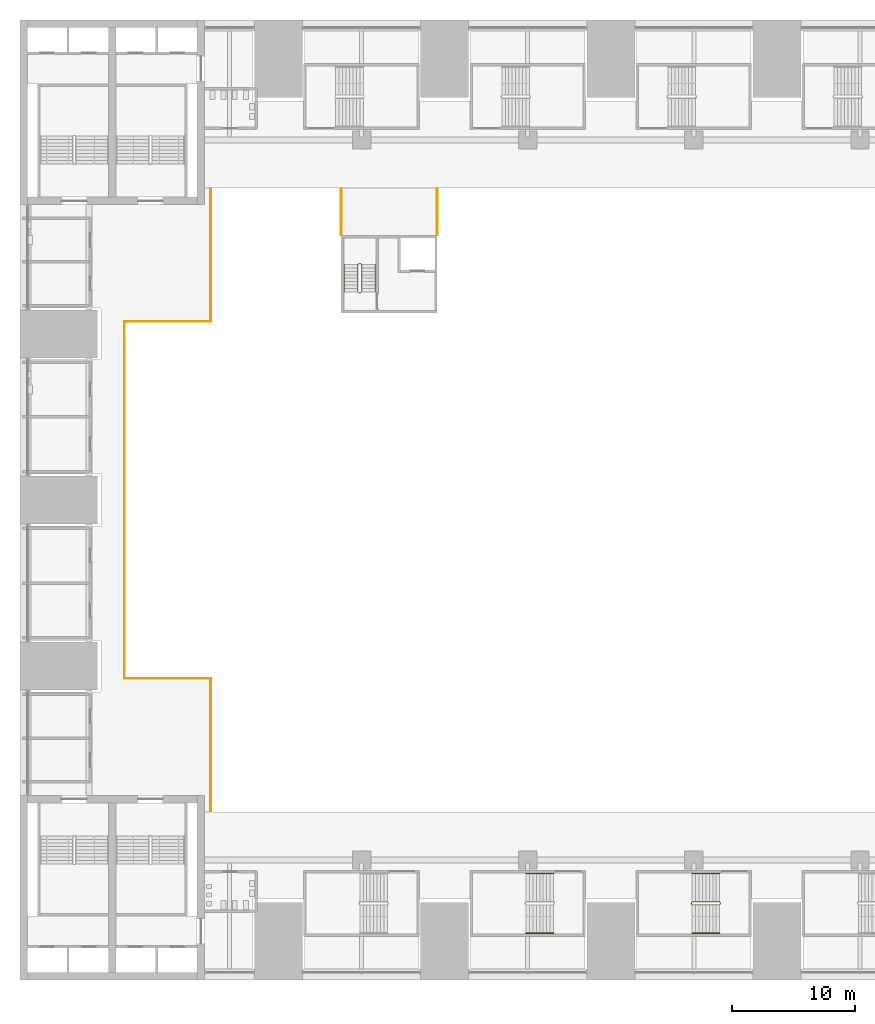
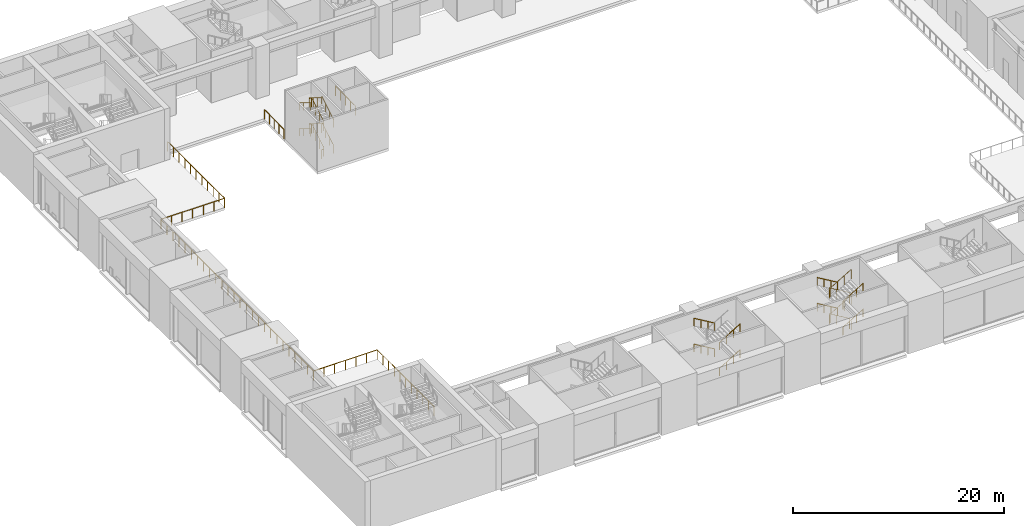
# One storey, part 36 of 41: 7 railings.
"""IFC4 building model written with IfcOpenShell, lengths in metres."""

from ifc_helpers import new_model, si_unit, direction, frame, origin, origin_2d, place, context, subcontext, project, spatial, circle, extrude, material, type_object, element, save


model = new_model("IFC4")

# Units and contexts
model_context = context("Model", 3, precision=1e-05, world=origin(), true_north=direction((0.0, 1.0)))
body_context = subcontext(model_context, "Body", "Model", "MODEL_VIEW")
ifc_project = project(units=[si_unit("LENGTHUNIT", "METRE"), si_unit("AREAUNIT", "SQUARE_METRE"), si_unit("VOLUMEUNIT", "CUBIC_METRE"), si_unit("PLANEANGLEUNIT", "RADIAN"), si_unit("MASSUNIT", "GRAM", prefix="KILO")], contexts=[model_context])

# Site, building, storey
site_placement = place(None, origin())
site = spatial("IfcSite", under=ifc_project, at=site_placement, CompositionType="ELEMENT")
building_placement = place(site_placement, origin())
building = spatial("IfcBuilding", under=site, at=building_placement, Name="Corbelhall Arena Tower", CompositionType="ELEMENT")
storey_placement = place(building_placement, frame((0.0, 0.0, 19.0)))
storey = spatial("IfcBuildingStorey", under=building, at=storey_placement, Name="L02", CompositionType="ELEMENT", Elevation=19.0)

# Railings
ifc_material_1 = material(Name="Stainless steel A4 and laminated glass", Category="steel")
railing_type_1 = type_object("IfcRailingType", Name="AR-GUARD-GLASS", PredefinedType="GUARDRAIL", material=ifc_material_1)
railing_1_placement = place(storey_placement, frame((-32.5, -25.300048828125, 0.0)))
element("IfcRailing", 1, at=railing_1_placement, inside=storey, type_object=railing_type_1, Name="Bowl void guard L02 1", PredefinedType="GUARDRAIL", context=body_context, shape_type="SweptSolid", body=[
    extrude(circle(Radius=0.02392578125, at=origin_2d()), frame((0.0, 0.0, 1.076171875), z_axis=(0.0, 1.0, 0.0), x_axis=(-1.0, 0.0, 0.0)), (0.0, 0.0, 1.0), 10.800048828125),
    extrude(circle(Radius=0.02392578125, at=origin_2d()), frame((0.0, 10.800048828125, 1.076171875), z_axis=(-1.0, 0.0, 0.0), x_axis=(0.0, -1.0, 0.0)), (0.0, 0.0, 1.0), 7.0),
    extrude(circle(Radius=0.02392578125, at=origin_2d()), frame((-7.0, 10.800048828125, 1.076171875), z_axis=(0.0, 1.0, 0.0), x_axis=(-1.0, 0.0, 0.0)), (0.0, 0.0, 1.0), 29.0),
    extrude(circle(Radius=0.02392578125, at=origin_2d()), frame((-7.0, 39.800048828125, 1.076171875), z_axis=(1.0, 0.0, 0.0), x_axis=(0.0, 1.0, 0.0)), (0.0, 0.0, 1.0), 7.0),
    extrude(circle(Radius=0.02392578125, at=origin_2d()), frame((0.0, 39.800048828125, 1.076171875), z_axis=(0.0, 1.0, 0.0), x_axis=(-1.0, 0.0, 0.0)), (0.0, 0.0, 1.0), 10.800048828125),
    extrude(circle(Radius=0.02099609375, at=origin_2d()), origin(), (0.0, 0.0, 1.0), 1.052001953125),
    extrude(circle(Radius=0.02099609375, at=origin_2d()), frame((0.0, 1.080078125, 0.0)), (0.0, 0.0, 1.0), 1.052001953125),
    extrude(circle(Radius=0.02099609375, at=origin_2d()), frame((0.0, 2.159912109375, 0.0)), (0.0, 0.0, 1.0), 1.052001953125),
    extrude(circle(Radius=0.02099609375, at=origin_2d()), frame((0.0, 3.239990234375, 0.0)), (0.0, 0.0, 1.0), 1.052001953125),
    extrude(circle(Radius=0.02099609375, at=origin_2d()), frame((0.0, 4.320068359375, 0.0)), (0.0, 0.0, 1.0), 1.052001953125),
    extrude(circle(Radius=0.02099609375, at=origin_2d()), frame((0.0, 5.39990234375, 0.0)), (0.0, 0.0, 1.0), 1.052001953125),
    extrude(circle(Radius=0.02099609375, at=origin_2d()), frame((0.0, 6.47998046875, 0.0)), (0.0, 0.0, 1.0), 1.052001953125),
    extrude(circle(Radius=0.02099609375, at=origin_2d()), frame((0.0, 7.56005859375, 0.0)), (0.0, 0.0, 1.0), 1.052001953125),
    extrude(circle(Radius=0.02099609375, at=origin_2d()), frame((0.0, 8.64013671875, 0.0)), (0.0, 0.0, 1.0), 1.052001953125),
    extrude(circle(Radius=0.02099609375, at=origin_2d()), frame((0.0, 9.719970703125, 0.0)), (0.0, 0.0, 1.0), 1.052001953125),
    extrude(circle(Radius=0.02099609375, at=origin_2d()), frame((0.0, 10.800048828125, 0.0)), (0.0, 0.0, 1.0), 1.052001953125),
    extrude(circle(Radius=0.02099609375, at=origin_2d()), frame((-1.166748046875, 10.800048828125, 0.0)), (0.0, 0.0, 1.0), 1.052001953125),
    extrude(circle(Radius=0.02099609375, at=origin_2d()), frame((-2.333251953125, 10.800048828125, 0.0)), (0.0, 0.0, 1.0), 1.052001953125),
    extrude(circle(Radius=0.02099609375, at=origin_2d()), frame((-3.5, 10.800048828125, 0.0)), (0.0, 0.0, 1.0), 1.052001953125),
    extrude(circle(Radius=0.02099609375, at=origin_2d()), frame((-4.666748046875, 10.800048828125, 0.0)), (0.0, 0.0, 1.0), 1.052001953125),
    extrude(circle(Radius=0.02099609375, at=origin_2d()), frame((-5.833251953125, 10.800048828125, 0.0)), (0.0, 0.0, 1.0), 1.052001953125),
    extrude(circle(Radius=0.02099609375, at=origin_2d()), frame((-7.0, 10.800048828125, 0.0)), (0.0, 0.0, 1.0), 1.052001953125),
    extrude(circle(Radius=0.02099609375, at=origin_2d()), frame((-7.0, 11.9599609375, 0.0)), (0.0, 0.0, 1.0), 1.052001953125),
    extrude(circle(Radius=0.02099609375, at=origin_2d()), frame((-7.0, 13.1201171875, 0.0)), (0.0, 0.0, 1.0), 1.052001953125),
    extrude(circle(Radius=0.02099609375, at=origin_2d()), frame((-7.0, 14.280029296875, 0.0)), (0.0, 0.0, 1.0), 1.052001953125),
    extrude(circle(Radius=0.02099609375, at=origin_2d()), frame((-7.0, 15.43994140625, 0.0)), (0.0, 0.0, 1.0), 1.052001953125),
    extrude(circle(Radius=0.02099609375, at=origin_2d()), frame((-7.0, 16.60009765625, 0.0)), (0.0, 0.0, 1.0), 1.052001953125),
    extrude(circle(Radius=0.02099609375, at=origin_2d()), frame((-7.0, 17.760009765625, 0.0)), (0.0, 0.0, 1.0), 1.052001953125),
    extrude(circle(Radius=0.02099609375, at=origin_2d()), frame((-7.0, 18.920166015625, 0.0)), (0.0, 0.0, 1.0), 1.052001953125),
    extrude(circle(Radius=0.02099609375, at=origin_2d()), frame((-7.0, 20.080078125, 0.0)), (0.0, 0.0, 1.0), 1.052001953125),
    extrude(circle(Radius=0.02099609375, at=origin_2d()), frame((-7.0, 21.239990234375, 0.0)), (0.0, 0.0, 1.0), 1.052001953125),
    extrude(circle(Radius=0.02099609375, at=origin_2d()), frame((-7.0, 22.400146484375, 0.0)), (0.0, 0.0, 1.0), 1.052001953125),
    extrude(circle(Radius=0.02099609375, at=origin_2d()), frame((-7.0, 23.56005859375, 0.0)), (0.0, 0.0, 1.0), 1.052001953125),
    extrude(circle(Radius=0.02099609375, at=origin_2d()), frame((-7.0, 24.719970703125, 0.0)), (0.0, 0.0, 1.0), 1.052001953125),
    extrude(circle(Radius=0.02099609375, at=origin_2d()), frame((-7.0, 25.880126953125, 0.0)), (0.0, 0.0, 1.0), 1.052001953125),
    extrude(circle(Radius=0.02099609375, at=origin_2d()), frame((-7.0, 27.0400390625, 0.0)), (0.0, 0.0, 1.0), 1.052001953125),
    extrude(circle(Radius=0.02099609375, at=origin_2d()), frame((-7.0, 28.199951171875, 0.0)), (0.0, 0.0, 1.0), 1.052001953125),
    extrude(circle(Radius=0.02099609375, at=origin_2d()), frame((-7.0, 29.360107421875, 0.0)), (0.0, 0.0, 1.0), 1.052001953125),
    extrude(circle(Radius=0.02099609375, at=origin_2d()), frame((-7.0, 30.52001953125, 0.0)), (0.0, 0.0, 1.0), 1.052001953125),
    extrude(circle(Radius=0.02099609375, at=origin_2d()), frame((-7.0, 31.679931640625, 0.0)), (0.0, 0.0, 1.0), 1.052001953125),
    extrude(circle(Radius=0.02099609375, at=origin_2d()), frame((-7.0, 32.840087890625, 0.0)), (0.0, 0.0, 1.0), 1.052001953125),
    extrude(circle(Radius=0.02099609375, at=origin_2d()), frame((-7.0, 34.0, 0.0)), (0.0, 0.0, 1.0), 1.052001953125),
    extrude(circle(Radius=0.02099609375, at=origin_2d()), frame((-7.0, 35.16015625, 0.0)), (0.0, 0.0, 1.0), 1.052001953125),
    extrude(circle(Radius=0.02099609375, at=origin_2d()), frame((-7.0, 36.320068359375, 0.0)), (0.0, 0.0, 1.0), 1.052001953125),
    extrude(circle(Radius=0.02099609375, at=origin_2d()), frame((-7.0, 37.47998046875, 0.0)), (0.0, 0.0, 1.0), 1.052001953125),
    extrude(circle(Radius=0.02099609375, at=origin_2d()), frame((-7.0, 38.64013671875, 0.0)), (0.0, 0.0, 1.0), 1.052001953125),
    extrude(circle(Radius=0.02099609375, at=origin_2d()), frame((-7.0, 39.800048828125, 0.0)), (0.0, 0.0, 1.0), 1.052001953125),
    extrude(circle(Radius=0.02099609375, at=origin_2d()), frame((-5.833251953125, 39.800048828125, 0.0)), (0.0, 0.0, 1.0), 1.052001953125),
    extrude(circle(Radius=0.02099609375, at=origin_2d()), frame((-4.666748046875, 39.800048828125, 0.0)), (0.0, 0.0, 1.0), 1.052001953125),
    extrude(circle(Radius=0.02099609375, at=origin_2d()), frame((-3.5, 39.800048828125, 0.0)), (0.0, 0.0, 1.0), 1.052001953125),
    extrude(circle(Radius=0.02099609375, at=origin_2d()), frame((-2.333251953125, 39.800048828125, 0.0)), (0.0, 0.0, 1.0), 1.052001953125),
    extrude(circle(Radius=0.02099609375, at=origin_2d()), frame((-1.166748046875, 39.800048828125, 0.0)), (0.0, 0.0, 1.0), 1.052001953125),
    extrude(circle(Radius=0.02099609375, at=origin_2d()), frame((0.0, 39.800048828125, 0.0)), (0.0, 0.0, 1.0), 1.052001953125),
    extrude(circle(Radius=0.02099609375, at=origin_2d()), frame((0.0, 40.880126953125, 0.0)), (0.0, 0.0, 1.0), 1.052001953125),
    extrude(circle(Radius=0.02099609375, at=origin_2d()), frame((0.0, 41.9599609375, 0.0)), (0.0, 0.0, 1.0), 1.052001953125),
    extrude(circle(Radius=0.02099609375, at=origin_2d()), frame((0.0, 43.0400390625, 0.0)), (0.0, 0.0, 1.0), 1.052001953125),
    extrude(circle(Radius=0.02099609375, at=origin_2d()), frame((0.0, 44.1201171875, 0.0)), (0.0, 0.0, 1.0), 1.052001953125),
    extrude(circle(Radius=0.02099609375, at=origin_2d()), frame((0.0, 45.2001953125, 0.0)), (0.0, 0.0, 1.0), 1.052001953125),
    extrude(circle(Radius=0.02099609375, at=origin_2d()), frame((0.0, 46.280029296875, 0.0)), (0.0, 0.0, 1.0), 1.052001953125),
    extrude(circle(Radius=0.02099609375, at=origin_2d()), frame((0.0, 47.360107421875, 0.0)), (0.0, 0.0, 1.0), 1.052001953125),
    extrude(circle(Radius=0.02099609375, at=origin_2d()), frame((0.0, 48.440185546875, 0.0)), (0.0, 0.0, 1.0), 1.052001953125),
    extrude(circle(Radius=0.02099609375, at=origin_2d()), frame((0.0, 49.52001953125, 0.0)), (0.0, 0.0, 1.0), 1.052001953125),
    extrude(circle(Radius=0.02099609375, at=origin_2d()), frame((0.0, 50.60009765625, 0.0)), (0.0, 0.0, 1.0), 1.052001953125),
])
railing_2_placement = place(storey_placement, frame((-21.89990234375, 25.300048828125, 0.0)))
element("IfcRailing", 2, at=railing_2_placement, inside=storey, type_object=railing_type_1, Name="Bowl void guard L02 2", PredefinedType="GUARDRAIL", context=body_context, shape_type="SweptSolid", body=[
    extrude(circle(Radius=0.02392578125, at=origin_2d()), frame((0.0, 0.0, 1.076171875), z_axis=(0.0, -1.0, 0.0), x_axis=(1.0, 0.0, 0.0)), (0.0, 0.0, 1.0), 3.75),
    extrude(circle(Radius=0.02099609375, at=origin_2d()), origin(), (0.0, 0.0, 1.0), 1.052001953125),
    extrude(circle(Radius=0.02099609375, at=origin_2d()), frame((0.0, -0.9375, 0.0)), (0.0, 0.0, 1.0), 1.052001953125),
    extrude(circle(Radius=0.02099609375, at=origin_2d()), frame((0.0, -1.875, 0.0)), (0.0, 0.0, 1.0), 1.052001953125),
    extrude(circle(Radius=0.02099609375, at=origin_2d()), frame((0.0, -2.8125, 0.0)), (0.0, 0.0, 1.0), 1.052001953125),
    extrude(circle(Radius=0.02099609375, at=origin_2d()), frame((0.0, -3.75, 0.0)), (0.0, 0.0, 1.0), 1.052001953125),
])
railing_3_placement = place(storey_placement, frame((-14.10009765625, 21.550048828125, 0.0)))
element("IfcRailing", 3, at=railing_3_placement, inside=storey, type_object=railing_type_1, Name="Bowl void guard L02 3", PredefinedType="GUARDRAIL", context=body_context, shape_type="SweptSolid", body=[
    extrude(circle(Radius=0.02392578125, at=origin_2d()), frame((0.0, 0.0, 1.076171875), z_axis=(0.0, 1.0, 0.0), x_axis=(-1.0, 0.0, 0.0)), (0.0, 0.0, 1.0), 3.75),
    extrude(circle(Radius=0.02099609375, at=origin_2d()), origin(), (0.0, 0.0, 1.0), 1.052001953125),
    extrude(circle(Radius=0.02099609375, at=origin_2d()), frame((0.0, 0.9375, 0.0)), (0.0, 0.0, 1.0), 1.052001953125),
    extrude(circle(Radius=0.02099609375, at=origin_2d()), frame((0.0, 1.875, 0.0)), (0.0, 0.0, 1.0), 1.052001953125),
    extrude(circle(Radius=0.02099609375, at=origin_2d()), frame((0.0, 2.8125, 0.0)), (0.0, 0.0, 1.0), 1.052001953125),
    extrude(circle(Radius=0.02099609375, at=origin_2d()), frame((0.0, 3.75, 0.0)), (0.0, 0.0, 1.0), 1.052001953125),
])
ifc_material_2 = material(Name="Stainless steel A4", Category="steel")
railing_type_2 = type_object("IfcRailingType", Name="AR-STAIR-GUARD", PredefinedType="GUARDRAIL", material=ifc_material_2)
railing_4_placement = place(storey_placement, frame((8.85009765625, -32.64990234375, 0.166748046875)))
element("IfcRailing", 4, at=railing_4_placement, inside=storey, type_object=railing_type_2, Name="L02 AS15 stair guards", PredefinedType="GUARDRAIL", context=body_context, shape_type="SweptSolid", body=[
    extrude(circle(Radius=0.02392578125, at=origin_2d()), frame((0.0, 0.0, 1.076171875), z_axis=(-0.859305625298, 0.0, 0.511462454469), x_axis=(0.0, -1.0, 0.0)), (0.0, 0.0, 1.0), 2.606689453125),
    extrude(circle(Radius=0.02392578125, at=origin_2d()), frame((-2.2900390625, -0.050048828125, 2.4091796875), z_axis=(0.0, -1.0, 0.0), x_axis=(1.0, 0.0, 0.0)), (0.0, 0.0, 1.0), 0.150146484375),
    extrude(circle(Radius=0.02392578125, at=origin_2d()), frame((-2.239990234375, -0.25, 2.576171875), z_axis=(0.859305625298, 0.0, 0.511462454469), x_axis=(0.0, 1.0, 0.0)), (0.0, 0.0, 1.0), 2.606689453125),
    extrude(circle(Radius=0.02392578125, at=origin_2d()), frame((0.0498046875, -0.050048828125, 3.9091796875), z_axis=(0.0, -1.0, 0.0), x_axis=(1.0, 0.0, 0.0)), (0.0, 0.0, 1.0), 0.150146484375),
    extrude(circle(Radius=0.02392578125, at=origin_2d()), frame((0.0, 0.0, 4.076171875), z_axis=(-0.859305625298, 0.0, 0.511462454469), x_axis=(0.0, -1.0, 0.0)), (0.0, 0.0, 1.0), 2.606689453125),
    extrude(circle(Radius=0.02392578125, at=origin_2d()), frame((-2.2900390625, -0.050048828125, 5.4091796875), z_axis=(0.0, -1.0, 0.0), x_axis=(1.0, 0.0, 0.0)), (0.0, 0.0, 1.0), 0.150146484375),
    extrude(circle(Radius=0.02392578125, at=origin_2d()), frame((-2.239990234375, -0.25, 5.576171875), z_axis=(0.859305625298, 0.0, 0.511462454469), x_axis=(0.0, 1.0, 0.0)), (0.0, 0.0, 1.0), 2.606689453125),
    extrude(circle(Radius=0.02392578125, at=origin_2d()), frame((0.0498046875, -0.050048828125, 0.9091796875), z_axis=(0.0, -1.0, 0.0), x_axis=(1.0, 0.0, 0.0)), (0.0, 0.0, 1.0), 0.150146484375),
    extrude(circle(Radius=0.02099609375, at=origin_2d()), origin(), (0.0, 0.0, 1.0), 1.052001953125),
    extrude(circle(Radius=0.02099609375, at=origin_2d()), frame((-0.74658203125, 0.0, 0.4443359375)), (0.0, 0.0, 1.0), 1.052001953125),
    extrude(circle(Radius=0.02099609375, at=origin_2d()), frame((-1.493408203125, 0.0, 0.888916015625)), (0.0, 0.0, 1.0), 1.052001953125),
    extrude(circle(Radius=0.02099609375, at=origin_2d()), frame((-2.239990234375, 0.0, 1.333251953125)), (0.0, 0.0, 1.0), 1.052001953125),
    extrude(circle(Radius=0.02099609375, at=origin_2d()), frame((-2.2900390625, -0.050048828125, 1.333251953125)), (0.0, 0.0, 1.0), 1.052001953125),
    extrude(circle(Radius=0.02099609375, at=origin_2d()), frame((-2.2900390625, -0.2001953125, 1.333251953125)), (0.0, 0.0, 1.0), 1.052001953125),
    extrude(circle(Radius=0.02099609375, at=origin_2d()), frame((-2.239990234375, -0.25, 1.5)), (0.0, 0.0, 1.0), 1.052001953125),
    extrude(circle(Radius=0.02099609375, at=origin_2d()), frame((-1.493408203125, -0.25, 1.9443359375)), (0.0, 0.0, 1.0), 1.052001953125),
    extrude(circle(Radius=0.02099609375, at=origin_2d()), frame((-0.74658203125, -0.25, 2.388916015625)), (0.0, 0.0, 1.0), 1.052001953125),
    extrude(circle(Radius=0.02099609375, at=origin_2d()), frame((0.0, -0.25, 2.833251953125)), (0.0, 0.0, 1.0), 1.052001953125),
    extrude(circle(Radius=0.02099609375, at=origin_2d()), frame((0.0498046875, -0.050048828125, 2.833251953125)), (0.0, 0.0, 1.0), 1.052001953125),
    extrude(circle(Radius=0.02099609375, at=origin_2d()), frame((0.0498046875, -0.2001953125, 2.833251953125)), (0.0, 0.0, 1.0), 1.052001953125),
    extrude(circle(Radius=0.02099609375, at=origin_2d()), frame((0.0, 0.0, 3.0)), (0.0, 0.0, 1.0), 1.052001953125),
    extrude(circle(Radius=0.02099609375, at=origin_2d()), frame((-0.74658203125, 0.0, 3.4443359375)), (0.0, 0.0, 1.0), 1.052001953125),
    extrude(circle(Radius=0.02099609375, at=origin_2d()), frame((-1.493408203125, 0.0, 3.888916015625)), (0.0, 0.0, 1.0), 1.052001953125),
    extrude(circle(Radius=0.02099609375, at=origin_2d()), frame((-2.239990234375, 0.0, 4.333251953125)), (0.0, 0.0, 1.0), 1.052001953125),
    extrude(circle(Radius=0.02099609375, at=origin_2d()), frame((-2.2900390625, -0.050048828125, 4.333251953125)), (0.0, 0.0, 1.0), 1.052001953125),
    extrude(circle(Radius=0.02099609375, at=origin_2d()), frame((-2.2900390625, -0.2001953125, 4.333251953125)), (0.0, 0.0, 1.0), 1.052001953125),
    extrude(circle(Radius=0.02099609375, at=origin_2d()), frame((-2.239990234375, -0.25, 4.5)), (0.0, 0.0, 1.0), 1.052001953125),
    extrude(circle(Radius=0.02099609375, at=origin_2d()), frame((-1.493408203125, -0.25, 4.9443359375)), (0.0, 0.0, 1.0), 1.052001953125),
    extrude(circle(Radius=0.02099609375, at=origin_2d()), frame((-0.74658203125, -0.25, 5.388916015625)), (0.0, 0.0, 1.0), 1.052001953125),
    extrude(circle(Radius=0.02099609375, at=origin_2d()), frame((0.0, -0.25, 5.833251953125)), (0.0, 0.0, 1.0), 1.052001953125),
    extrude(circle(Radius=0.02099609375, at=origin_2d()), frame((0.0498046875, -0.050048828125, -0.166748046875)), (0.0, 0.0, 1.0), 1.052001953125),
    extrude(circle(Radius=0.02099609375, at=origin_2d()), frame((0.0498046875, -0.2001953125, -0.166748046875)), (0.0, 0.0, 1.0), 1.052001953125),
])
railing_type_3 = type_object("IfcRailingType", Name="AR-STAIR-HANDRAIL", PredefinedType="HANDRAIL", material=ifc_material_2)
railing_5_placement = place(storey_placement, frame((-4.64990234375, -30.35009765625, 0.166748046875)))
element("IfcRailing", 5, at=railing_5_placement, inside=storey, type_object=railing_type_3, Name="L02 AS14 stair handrails", PredefinedType="HANDRAIL", context=body_context, shape_type="SweptSolid", body=[
    extrude(circle(Radius=0.02392578125, at=origin_2d()), frame((0.0, 0.0, 0.8759765625), z_axis=(-0.859305625298, 0.0, 0.511462454469), x_axis=(0.0, -1.0, 0.0)), (0.0, 0.0, 1.0), 2.606689453125),
    extrude(circle(Radius=0.02392578125, at=origin_2d()), frame((-2.239990234375, -4.849853515625, 2.3759765625), z_axis=(0.859305625298, 0.0, 0.511462454469), x_axis=(0.0, 1.0, 0.0)), (0.0, 0.0, 1.0), 2.606689453125),
    extrude(circle(Radius=0.02392578125, at=origin_2d()), frame((0.0, 0.0, 3.8759765625), z_axis=(-0.859305625298, 0.0, 0.511462454469), x_axis=(0.0, -1.0, 0.0)), (0.0, 0.0, 1.0), 2.606689453125),
    extrude(circle(Radius=0.02392578125, at=origin_2d()), frame((-2.239990234375, -4.849853515625, 5.3759765625), z_axis=(0.859305625298, 0.0, 0.511462454469), x_axis=(0.0, 1.0, 0.0)), (0.0, 0.0, 1.0), 2.606689453125),
    extrude(circle(Radius=0.02099609375, at=origin_2d()), origin(), (0.0, 0.0, 1.0), 0.851806640625),
    extrude(circle(Radius=0.02099609375, at=origin_2d()), frame((-0.74658203125, 0.0, 0.4443359375)), (0.0, 0.0, 1.0), 0.851806640625),
    extrude(circle(Radius=0.02099609375, at=origin_2d()), frame((-1.493408203125, 0.0, 0.888916015625)), (0.0, 0.0, 1.0), 0.851806640625),
    extrude(circle(Radius=0.02099609375, at=origin_2d()), frame((-2.239990234375, 0.0, 1.333251953125)), (0.0, 0.0, 1.0), 0.851806640625),
    extrude(circle(Radius=0.02099609375, at=origin_2d()), frame((-2.239990234375, -4.849853515625, 1.5)), (0.0, 0.0, 1.0), 0.851806640625),
    extrude(circle(Radius=0.02099609375, at=origin_2d()), frame((-1.493408203125, -4.849853515625, 1.9443359375)), (0.0, 0.0, 1.0), 0.851806640625),
    extrude(circle(Radius=0.02099609375, at=origin_2d()), frame((-0.74658203125, -4.849853515625, 2.388916015625)), (0.0, 0.0, 1.0), 0.851806640625),
    extrude(circle(Radius=0.02099609375, at=origin_2d()), frame((0.0, -4.849853515625, 2.833251953125)), (0.0, 0.0, 1.0), 0.851806640625),
    extrude(circle(Radius=0.02099609375, at=origin_2d()), frame((0.0, 0.0, 3.0)), (0.0, 0.0, 1.0), 0.851806640625),
    extrude(circle(Radius=0.02099609375, at=origin_2d()), frame((-0.74658203125, 0.0, 3.4443359375)), (0.0, 0.0, 1.0), 0.851806640625),
    extrude(circle(Radius=0.02099609375, at=origin_2d()), frame((-1.493408203125, 0.0, 3.888916015625)), (0.0, 0.0, 1.0), 0.851806640625),
    extrude(circle(Radius=0.02099609375, at=origin_2d()), frame((-2.239990234375, 0.0, 4.333251953125)), (0.0, 0.0, 1.0), 0.851806640625),
    extrude(circle(Radius=0.02099609375, at=origin_2d()), frame((-2.239990234375, -4.849853515625, 4.5)), (0.0, 0.0, 1.0), 0.851806640625),
    extrude(circle(Radius=0.02099609375, at=origin_2d()), frame((-1.493408203125, -4.849853515625, 4.9443359375)), (0.0, 0.0, 1.0), 0.851806640625),
    extrude(circle(Radius=0.02099609375, at=origin_2d()), frame((-0.74658203125, -4.849853515625, 5.388916015625)), (0.0, 0.0, 1.0), 0.851806640625),
    extrude(circle(Radius=0.02099609375, at=origin_2d()), frame((0.0, -4.849853515625, 5.833251953125)), (0.0, 0.0, 1.0), 0.851806640625),
])
railing_6_placement = place(storey_placement, frame((8.85009765625, -30.35009765625, 0.166748046875)))
element("IfcRailing", 6, at=railing_6_placement, inside=storey, type_object=railing_type_3, Name="L02 AS15 stair handrails", PredefinedType="HANDRAIL", context=body_context, shape_type="SweptSolid", body=[
    extrude(circle(Radius=0.02392578125, at=origin_2d()), frame((0.0, 0.0, 0.8759765625), z_axis=(-0.859305625298, 0.0, 0.511462454469), x_axis=(0.0, -1.0, 0.0)), (0.0, 0.0, 1.0), 2.606689453125),
    extrude(circle(Radius=0.02392578125, at=origin_2d()), frame((-2.239990234375, -4.849853515625, 2.3759765625), z_axis=(0.859305625298, 0.0, 0.511462454469), x_axis=(0.0, 1.0, 0.0)), (0.0, 0.0, 1.0), 2.606689453125),
    extrude(circle(Radius=0.02392578125, at=origin_2d()), frame((0.0, 0.0, 3.8759765625), z_axis=(-0.859305625298, 0.0, 0.511462454469), x_axis=(0.0, -1.0, 0.0)), (0.0, 0.0, 1.0), 2.606689453125),
    extrude(circle(Radius=0.02392578125, at=origin_2d()), frame((-2.239990234375, -4.849853515625, 5.3759765625), z_axis=(0.859305625298, 0.0, 0.511462454469), x_axis=(0.0, 1.0, 0.0)), (0.0, 0.0, 1.0), 2.606689453125),
    extrude(circle(Radius=0.02099609375, at=origin_2d()), origin(), (0.0, 0.0, 1.0), 0.851806640625),
    extrude(circle(Radius=0.02099609375, at=origin_2d()), frame((-0.74658203125, 0.0, 0.4443359375)), (0.0, 0.0, 1.0), 0.851806640625),
    extrude(circle(Radius=0.02099609375, at=origin_2d()), frame((-1.493408203125, 0.0, 0.888916015625)), (0.0, 0.0, 1.0), 0.851806640625),
    extrude(circle(Radius=0.02099609375, at=origin_2d()), frame((-2.239990234375, 0.0, 1.333251953125)), (0.0, 0.0, 1.0), 0.851806640625),
    extrude(circle(Radius=0.02099609375, at=origin_2d()), frame((-2.239990234375, -4.849853515625, 1.5)), (0.0, 0.0, 1.0), 0.851806640625),
    extrude(circle(Radius=0.02099609375, at=origin_2d()), frame((-1.493408203125, -4.849853515625, 1.9443359375)), (0.0, 0.0, 1.0), 0.851806640625),
    extrude(circle(Radius=0.02099609375, at=origin_2d()), frame((-0.74658203125, -4.849853515625, 2.388916015625)), (0.0, 0.0, 1.0), 0.851806640625),
    extrude(circle(Radius=0.02099609375, at=origin_2d()), frame((0.0, -4.849853515625, 2.833251953125)), (0.0, 0.0, 1.0), 0.851806640625),
    extrude(circle(Radius=0.02099609375, at=origin_2d()), frame((0.0, 0.0, 3.0)), (0.0, 0.0, 1.0), 0.851806640625),
    extrude(circle(Radius=0.02099609375, at=origin_2d()), frame((-0.74658203125, 0.0, 3.4443359375)), (0.0, 0.0, 1.0), 0.851806640625),
    extrude(circle(Radius=0.02099609375, at=origin_2d()), frame((-1.493408203125, 0.0, 3.888916015625)), (0.0, 0.0, 1.0), 0.851806640625),
    extrude(circle(Radius=0.02099609375, at=origin_2d()), frame((-2.239990234375, 0.0, 4.333251953125)), (0.0, 0.0, 1.0), 0.851806640625),
    extrude(circle(Radius=0.02099609375, at=origin_2d()), frame((-2.239990234375, -4.849853515625, 4.5)), (0.0, 0.0, 1.0), 0.851806640625),
    extrude(circle(Radius=0.02099609375, at=origin_2d()), frame((-1.493408203125, -4.849853515625, 4.9443359375)), (0.0, 0.0, 1.0), 0.851806640625),
    extrude(circle(Radius=0.02099609375, at=origin_2d()), frame((-0.74658203125, -4.849853515625, 5.388916015625)), (0.0, 0.0, 1.0), 0.851806640625),
    extrude(circle(Radius=0.02099609375, at=origin_2d()), frame((0.0, -4.849853515625, 5.833251953125)), (0.0, 0.0, 1.0), 0.851806640625),
])
ifc_material_3 = material(Name="Steel ASTM A500 Gr C", Category="steel")
railing_type_4 = type_object("IfcRailingType", Name="IN-GD-1100", PredefinedType="GUARDRAIL", material=ifc_material_3)
railing_7_placement = place(storey_placement, frame((-20.2451171875, 16.89990234375, 0.166748046875)))
element("IfcRailing", 7, at=railing_7_placement, inside=storey, type_object=railing_type_4, Name="L02 AS17 stair guards and handrails", PredefinedType="GUARDRAIL", context=body_context, shape_type="SweptSolid", body=[
    extrude(circle(Radius=0.02392578125, at=origin_2d()), frame((0.0, 0.0, 1.076171875), z_axis=(0.0, 0.859305625298, 0.511462454469), x_axis=(-1.0, 0.0, 0.0)), (0.0, 0.0, 1.0), 2.606689453125),
    extrude(circle(Radius=0.02392578125, at=origin_2d()), frame((-0.0498046875, 2.2900390625, 2.4091796875), z_axis=(-1.0, 0.0, 0.0), x_axis=(0.0, -1.0, 0.0)), (0.0, 0.0, 1.0), 0.2001953125),
    extrude(circle(Radius=0.02392578125, at=origin_2d()), frame((-0.2998046875, 2.239990234375, 2.576171875), z_axis=(0.0, -0.859305625298, 0.511462454469), x_axis=(1.0, 0.0, 0.0)), (0.0, 0.0, 1.0), 2.606689453125),
    extrude(circle(Radius=0.02392578125, at=origin_2d()), frame((-0.0498046875, -0.0498046875, 3.9091796875), z_axis=(-1.0, 0.0, 0.0), x_axis=(0.0, -1.0, 0.0)), (0.0, 0.0, 1.0), 0.2001953125),
    extrude(circle(Radius=0.02392578125, at=origin_2d()), frame((0.0, 0.0, 4.076171875), z_axis=(0.0, 0.859305625298, 0.511462454469), x_axis=(-1.0, 0.0, 0.0)), (0.0, 0.0, 1.0), 2.606689453125),
    extrude(circle(Radius=0.02392578125, at=origin_2d()), frame((-0.0498046875, 2.2900390625, 5.4091796875), z_axis=(-1.0, 0.0, 0.0), x_axis=(0.0, -1.0, 0.0)), (0.0, 0.0, 1.0), 0.2001953125),
    extrude(circle(Radius=0.02392578125, at=origin_2d()), frame((-0.2998046875, 2.239990234375, 5.576171875), z_axis=(0.0, -0.859305625298, 0.511462454469), x_axis=(1.0, 0.0, 0.0)), (0.0, 0.0, 1.0), 2.606689453125),
    extrude(circle(Radius=0.02392578125, at=origin_2d()), frame((-0.0498046875, -0.0498046875, 0.9091796875), z_axis=(-1.0, 0.0, 0.0), x_axis=(0.0, -1.0, 0.0)), (0.0, 0.0, 1.0), 0.2001953125),
    extrude(circle(Radius=0.02392578125, at=origin_2d()), frame((1.10009765625, 0.0, 0.8759765625), z_axis=(0.0, 0.859305625298, 0.511462454469), x_axis=(-1.0, 0.0, 0.0)), (0.0, 0.0, 1.0), 2.606689453125),
    extrude(circle(Radius=0.02392578125, at=origin_2d()), frame((-1.39990234375, 2.239990234375, 2.3759765625), z_axis=(0.0, -0.859305625298, 0.511462454469), x_axis=(1.0, 0.0, 0.0)), (0.0, 0.0, 1.0), 2.606689453125),
    extrude(circle(Radius=0.02392578125, at=origin_2d()), frame((1.10009765625, 0.0, 3.8759765625), z_axis=(0.0, 0.859305625298, 0.511462454469), x_axis=(-1.0, 0.0, 0.0)), (0.0, 0.0, 1.0), 2.606689453125),
    extrude(circle(Radius=0.02392578125, at=origin_2d()), frame((-1.39990234375, 2.239990234375, 5.3759765625), z_axis=(0.0, -0.859305625298, 0.511462454469), x_axis=(1.0, 0.0, 0.0)), (0.0, 0.0, 1.0), 2.606689453125),
    extrude(circle(Radius=0.02099609375, at=origin_2d()), origin(), (0.0, 0.0, 1.0), 1.052001953125),
    extrude(circle(Radius=0.02099609375, at=origin_2d()), frame((0.0, 0.74658203125, 0.4443359375)), (0.0, 0.0, 1.0), 1.052001953125),
    extrude(circle(Radius=0.02099609375, at=origin_2d()), frame((0.0, 1.493408203125, 0.888916015625)), (0.0, 0.0, 1.0), 1.052001953125),
    extrude(circle(Radius=0.02099609375, at=origin_2d()), frame((0.0, 2.239990234375, 1.333251953125)), (0.0, 0.0, 1.0), 1.052001953125),
    extrude(circle(Radius=0.02099609375, at=origin_2d()), frame((-0.0498046875, 2.2900390625, 1.333251953125)), (0.0, 0.0, 1.0), 1.052001953125),
    extrude(circle(Radius=0.02099609375, at=origin_2d()), frame((-0.25, 2.2900390625, 1.333251953125)), (0.0, 0.0, 1.0), 1.052001953125),
    extrude(circle(Radius=0.02099609375, at=origin_2d()), frame((-0.2998046875, 2.239990234375, 1.5)), (0.0, 0.0, 1.0), 1.052001953125),
    extrude(circle(Radius=0.02099609375, at=origin_2d()), frame((-0.2998046875, 1.493408203125, 1.9443359375)), (0.0, 0.0, 1.0), 1.052001953125),
    extrude(circle(Radius=0.02099609375, at=origin_2d()), frame((-0.2998046875, 0.74658203125, 2.388916015625)), (0.0, 0.0, 1.0), 1.052001953125),
    extrude(circle(Radius=0.02099609375, at=origin_2d()), frame((-0.2998046875, 0.0, 2.833251953125)), (0.0, 0.0, 1.0), 1.052001953125),
    extrude(circle(Radius=0.02099609375, at=origin_2d()), frame((-0.0498046875, -0.0498046875, 2.833251953125)), (0.0, 0.0, 1.0), 1.052001953125),
    extrude(circle(Radius=0.02099609375, at=origin_2d()), frame((-0.25, -0.0498046875, 2.833251953125)), (0.0, 0.0, 1.0), 1.052001953125),
    extrude(circle(Radius=0.02099609375, at=origin_2d()), frame((0.0, 0.0, 3.0)), (0.0, 0.0, 1.0), 1.052001953125),
    extrude(circle(Radius=0.02099609375, at=origin_2d()), frame((0.0, 0.74658203125, 3.4443359375)), (0.0, 0.0, 1.0), 1.052001953125),
    extrude(circle(Radius=0.02099609375, at=origin_2d()), frame((0.0, 1.493408203125, 3.888916015625)), (0.0, 0.0, 1.0), 1.052001953125),
    extrude(circle(Radius=0.02099609375, at=origin_2d()), frame((0.0, 2.239990234375, 4.333251953125)), (0.0, 0.0, 1.0), 1.052001953125),
    extrude(circle(Radius=0.02099609375, at=origin_2d()), frame((-0.0498046875, 2.2900390625, 4.333251953125)), (0.0, 0.0, 1.0), 1.052001953125),
    extrude(circle(Radius=0.02099609375, at=origin_2d()), frame((-0.25, 2.2900390625, 4.333251953125)), (0.0, 0.0, 1.0), 1.052001953125),
    extrude(circle(Radius=0.02099609375, at=origin_2d()), frame((-0.2998046875, 2.239990234375, 4.5)), (0.0, 0.0, 1.0), 1.052001953125),
    extrude(circle(Radius=0.02099609375, at=origin_2d()), frame((-0.2998046875, 1.493408203125, 4.9443359375)), (0.0, 0.0, 1.0), 1.052001953125),
    extrude(circle(Radius=0.02099609375, at=origin_2d()), frame((-0.2998046875, 0.74658203125, 5.388916015625)), (0.0, 0.0, 1.0), 1.052001953125),
    extrude(circle(Radius=0.02099609375, at=origin_2d()), frame((-0.2998046875, 0.0, 5.833251953125)), (0.0, 0.0, 1.0), 1.052001953125),
    extrude(circle(Radius=0.02099609375, at=origin_2d()), frame((-0.0498046875, -0.0498046875, -0.166748046875)), (0.0, 0.0, 1.0), 1.052001953125),
    extrude(circle(Radius=0.02099609375, at=origin_2d()), frame((-0.25, -0.0498046875, -0.166748046875)), (0.0, 0.0, 1.0), 1.052001953125),
    extrude(circle(Radius=0.02099609375, at=origin_2d()), frame((1.10009765625, 0.0, 0.0)), (0.0, 0.0, 1.0), 0.851806640625),
    extrude(circle(Radius=0.02099609375, at=origin_2d()), frame((1.10009765625, 0.74658203125, 0.4443359375)), (0.0, 0.0, 1.0), 0.851806640625),
    extrude(circle(Radius=0.02099609375, at=origin_2d()), frame((1.10009765625, 1.493408203125, 0.888916015625)), (0.0, 0.0, 1.0), 0.851806640625),
    extrude(circle(Radius=0.02099609375, at=origin_2d()), frame((1.10009765625, 2.239990234375, 1.333251953125)), (0.0, 0.0, 1.0), 0.851806640625),
    extrude(circle(Radius=0.02099609375, at=origin_2d()), frame((-1.39990234375, 2.239990234375, 1.5)), (0.0, 0.0, 1.0), 0.851806640625),
    extrude(circle(Radius=0.02099609375, at=origin_2d()), frame((-1.39990234375, 1.493408203125, 1.9443359375)), (0.0, 0.0, 1.0), 0.851806640625),
    extrude(circle(Radius=0.02099609375, at=origin_2d()), frame((-1.39990234375, 0.74658203125, 2.388916015625)), (0.0, 0.0, 1.0), 0.851806640625),
    extrude(circle(Radius=0.02099609375, at=origin_2d()), frame((-1.39990234375, 0.0, 2.833251953125)), (0.0, 0.0, 1.0), 0.851806640625),
    extrude(circle(Radius=0.02099609375, at=origin_2d()), frame((1.10009765625, 0.0, 3.0)), (0.0, 0.0, 1.0), 0.851806640625),
    extrude(circle(Radius=0.02099609375, at=origin_2d()), frame((1.10009765625, 0.74658203125, 3.4443359375)), (0.0, 0.0, 1.0), 0.851806640625),
    extrude(circle(Radius=0.02099609375, at=origin_2d()), frame((1.10009765625, 1.493408203125, 3.888916015625)), (0.0, 0.0, 1.0), 0.851806640625),
    extrude(circle(Radius=0.02099609375, at=origin_2d()), frame((1.10009765625, 2.239990234375, 4.333251953125)), (0.0, 0.0, 1.0), 0.851806640625),
    extrude(circle(Radius=0.02099609375, at=origin_2d()), frame((-1.39990234375, 2.239990234375, 4.5)), (0.0, 0.0, 1.0), 0.851806640625),
    extrude(circle(Radius=0.02099609375, at=origin_2d()), frame((-1.39990234375, 1.493408203125, 4.9443359375)), (0.0, 0.0, 1.0), 0.851806640625),
    extrude(circle(Radius=0.02099609375, at=origin_2d()), frame((-1.39990234375, 0.74658203125, 5.388916015625)), (0.0, 0.0, 1.0), 0.851806640625),
    extrude(circle(Radius=0.02099609375, at=origin_2d()), frame((-1.39990234375, 0.0, 5.833251953125)), (0.0, 0.0, 1.0), 0.851806640625),
])

save(model, "model.ifc")
